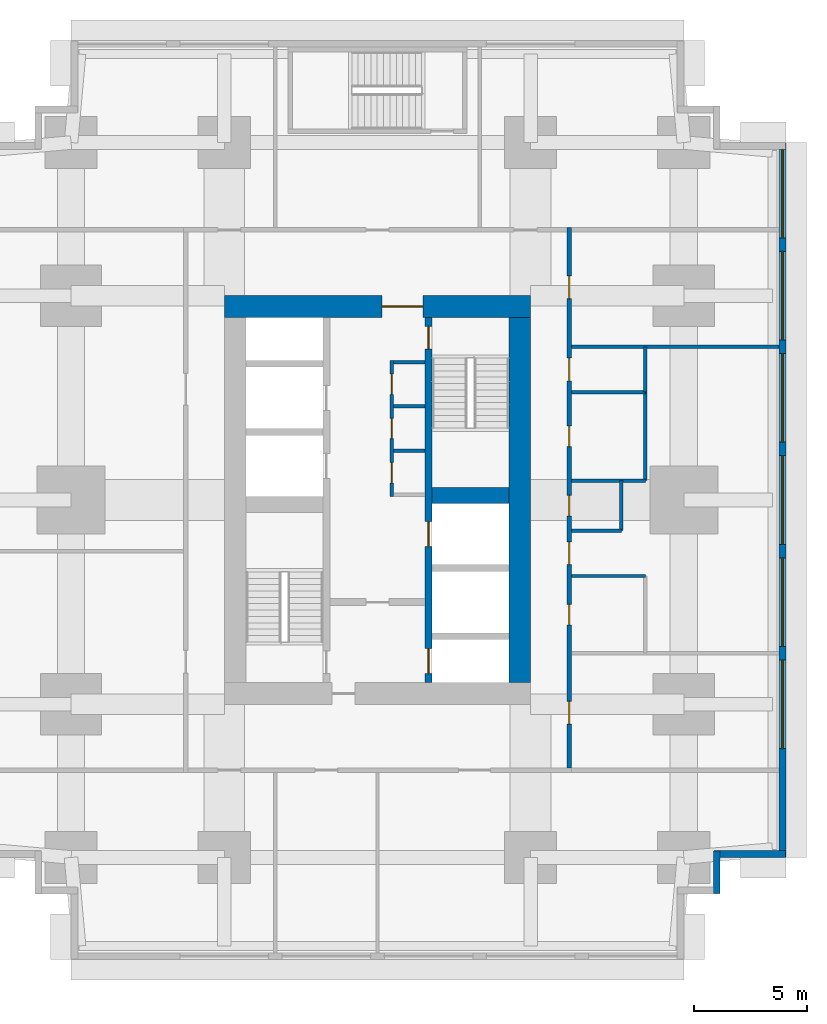
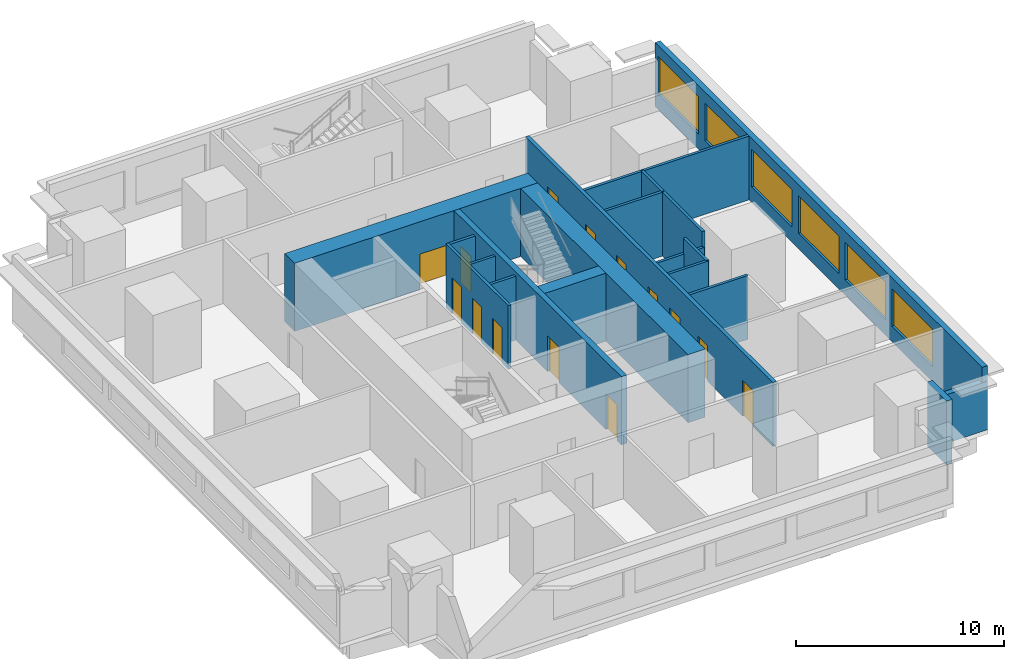
# One storey, part 7 of 12: 20 walls, 14 doors, 6 windows, 20 openings.
"""IFC4 building model written with IfcOpenShell, lengths in metres."""

from ifc_helpers import new_model, si_unit, direction, frame, frame_2d, origin, place, context, subcontext, project, spatial, rectangle, extrude, material, layer, layer_set, type_object, element, fill, save


model = new_model("IFC4")

# Units and contexts
model_context = context("Model", 3, precision=1e-05, world=origin(), true_north=direction((0.0, 1.0)))
body_context = subcontext(model_context, "Body", "Model", "MODEL_VIEW")
ifc_project = project(units=[si_unit("LENGTHUNIT", "METRE"), si_unit("AREAUNIT", "SQUARE_METRE"), si_unit("VOLUMEUNIT", "CUBIC_METRE"), si_unit("PLANEANGLEUNIT", "RADIAN"), si_unit("MASSUNIT", "GRAM", prefix="KILO")], contexts=[model_context])

# Site, building, storey
site_placement = place(None, origin())
site = spatial("IfcSite", under=ifc_project, at=site_placement, CompositionType="ELEMENT")
building_placement = place(site_placement, origin())
building = spatial("IfcBuilding", under=site, at=building_placement, Name="Namib Vertical Campus", CompositionType="ELEMENT")
storey_placement = place(building_placement, frame((0.0, 0.0, 45.0)))
storey = spatial("IfcBuildingStorey", under=building, at=storey_placement, Name="L10", CompositionType="ELEMENT", Elevation=45.0)

# Wall, openings, doors
ifc_material_1 = material(Name="Concrete C60/75", Category="concrete")
ifc_layer_1 = layer(ifc_material_1, 0.300048828125)
ifc_layer_set_1 = layer_set([ifc_layer_1], Name="Concrete C60/75")
wall_type_1 = type_object("IfcWallType", Name="Core inner wall 300", PredefinedType="SHEAR", material=ifc_layer_set_1)
wall_1_placement = place(storey_placement, frame((83.25, 12.199951171875, 0.0), z_axis=(0.0, 0.0, 1.0), x_axis=(0.0, 1.0, 0.0)))
wall_1 = element("IfcWall", 1, at=wall_1_placement, inside=storey, type_object=wall_type_1, Name="Core inner wall B L10 W2", PredefinedType="SHEAR", context=body_context, shape_type="SweptSolid", body=[
    extrude(rectangle(XDim=16.10009765625, YDim=0.300048828125, at=frame_2d((8.050048828125, 0.0))), origin(), (0.0, 0.0, 1.0), 4.0),
])
opening_1_placement = place(wall_1_placement, frame((14.699951171875, 0.0, 0.0)))
opening_1 = element("IfcOpeningElement", 2, at=opening_1_placement, cuts=wall_1, Name="Opening FD1", PredefinedType="OPENING", context=body_context, shape_type="SweptSolid", body=[
    extrude(rectangle(XDim=1.0, YDim=2.10009765625, at=frame_2d((0.5, 1.050048828125))), frame((0.0, 0.159912109375, 0.0), z_axis=(0.0, -1.0, 0.0), x_axis=(1.0, 0.0, 0.0)), (0.0, 0.0, 1.0), 0.320068359375),
])
opening_2_placement = place(wall_1_placement, frame((0.39990234375, 0.0, 0.0)))
opening_2 = element("IfcOpeningElement", 3, at=opening_2_placement, cuts=wall_1, Name="Opening LD1", PredefinedType="OPENING", context=body_context, shape_type="SweptSolid", body=[
    extrude(rectangle(XDim=1.10009765625, YDim=2.10009765625, at=frame_2d((0.550048828125, 1.050048828125))), frame((0.0, 0.159912109375, 0.0), z_axis=(0.0, -1.0, 0.0), x_axis=(1.0, 0.0, 0.0)), (0.0, 0.0, 1.0), 0.320068359375),
])
opening_3_placement = place(wall_1_placement, frame((6.0, 0.0, 0.0)))
opening_3 = element("IfcOpeningElement", 4, at=opening_3_placement, cuts=wall_1, Name="Opening LD1", PredefinedType="OPENING", context=body_context, shape_type="SweptSolid", body=[
    extrude(rectangle(XDim=1.10009765625, YDim=2.10009765625, at=frame_2d((0.550048828125, 1.050048828125))), frame((0.0, 0.159912109375, 0.0), z_axis=(0.0, -1.0, 0.0), x_axis=(1.0, 0.0, 0.0)), (0.0, 0.0, 1.0), 0.320068359375),
])
ifc_material_2 = material(Name="Steel fire door", Category="steel")
door_type_1 = type_object("IfcDoorType", Name="Fire door 1000x2100", OperationType="SINGLE_SWING_RIGHT", PredefinedType="DOOR", material=ifc_material_2)
door_1_placement = place(opening_1_placement, frame((1.0, 0.0, 0.0), z_axis=(0.0, 0.0, 1.0), x_axis=(-1.0, 0.0, 0.0)))
door_1 = element("IfcDoor", 5, at=door_1_placement, inside=storey, type_object=door_type_1, Name="Stair door FD1 B L10 S2", OperationType="SINGLE_SWING_LEFT", OverallHeight=2.10009765625, OverallWidth=1.0, PredefinedType="DOOR", context=body_context, shape_type="SweptSolid", body=[
    extrude(rectangle(XDim=1.0, YDim=2.10009765625, at=frame_2d((0.5, 1.050048828125))), frame((0.0, 0.02490234375, 0.0), z_axis=(0.0, -1.0, 0.0), x_axis=(1.0, 0.0, 0.0)), (0.0, 0.0, 1.0), 0.050048828125),
])
fill(opening_1, door_1)
ifc_material_3 = material(Name="Stainless steel lift door", Category="steel")
door_type_2 = type_object("IfcDoorType", Name="Lift landing door 1100x2100", OperationType="DOUBLE_DOOR_SLIDING", PredefinedType="DOOR", material=ifc_material_3)
door_2_placement = place(opening_2_placement, origin())
door_2 = element("IfcDoor", 6, at=door_2_placement, inside=storey, type_object=door_type_2, Name="Lift landing door LD1 B-FL1 L10", OperationType="DOUBLE_DOOR_SLIDING", OverallHeight=2.10009765625, OverallWidth=1.10009765625, PredefinedType="DOOR", context=body_context, shape_type="SweptSolid", body=[
    extrude(rectangle(XDim=1.10009765625, YDim=2.10009765625, at=frame_2d((0.550048828125, 1.050048828125))), frame((0.0, 0.02490234375, 0.0), z_axis=(0.0, -1.0, 0.0), x_axis=(1.0, 0.0, 0.0)), (0.0, 0.0, 1.0), 0.050048828125),
])
fill(opening_2, door_2)
door_3_placement = place(opening_3_placement, origin())
door_3 = element("IfcDoor", 7, at=door_3_placement, inside=storey, type_object=door_type_2, Name="Lift landing door LD1 B-P5 L10", OperationType="DOUBLE_DOOR_SLIDING", OverallHeight=2.10009765625, OverallWidth=1.10009765625, PredefinedType="DOOR", context=body_context, shape_type="SweptSolid", body=[
    extrude(rectangle(XDim=1.10009765625, YDim=2.10009765625, at=frame_2d((0.550048828125, 1.050048828125))), frame((0.0, 0.02490234375, 0.0), z_axis=(0.0, -1.0, 0.0), x_axis=(1.0, 0.0, 0.0)), (0.0, 0.0, 1.0), 0.050048828125),
])
fill(opening_3, door_3)

# Walls
ifc_material_4 = material(Name="Concrete C60/75", Category="concrete")
ifc_layer_2 = layer(ifc_material_4, 0.699951171875)
ifc_layer_set_2 = layer_set([ifc_layer_2], Name="Concrete C60/75")
wall_type_2 = type_object("IfcWallType", Name="Core shear wall 700", PredefinedType="SHEAR", material=ifc_layer_set_2)
wall_2_placement = place(storey_placement, frame((83.39990234375, 20.449951171875, 0.0), z_axis=(0.0, 0.0, 1.0), x_axis=(1.0, 0.0, 0.0)))
element("IfcWall", 8, at=wall_2_placement, inside=storey, type_object=wall_type_2, Name="Core shear wall B L10 W7", PredefinedType="SHEAR", context=body_context, shape_type="SweptSolid", body=[
    extrude(rectangle(XDim=3.400146484375, YDim=0.699951171875, at=frame_2d((1.7001953125, 0.0))), origin(), (0.0, 0.0, 1.0), 4.0),
])
ifc_material_5 = material(Name="Concrete C60/75", Category="concrete")
ifc_layer_3 = layer(ifc_material_5, 0.949951171875)
ifc_layer_set_3 = layer_set([ifc_layer_3], Name="Concrete C60/75")
wall_type_3 = type_object("IfcWallType", Name="Core wall 950", PredefinedType="SHEAR", material=ifc_layer_set_3)
wall_3_placement = place(storey_placement, frame((87.27490234375, 12.199951171875, 0.0), z_axis=(0.0, 0.0, 1.0), x_axis=(0.0, 1.0, 0.0)))
element("IfcWall", 9, at=wall_3_placement, inside=storey, type_object=wall_type_3, Name="Core wall B L10 2", PredefinedType="SHEAR", context=body_context, shape_type="SweptSolid", body=[
    extrude(rectangle(XDim=16.10009765625, YDim=0.949951171875, at=frame_2d((8.050048828125, 0.0))), origin(), (0.0, 0.0, 1.0), 4.0),
])

# Wall, opening, door
wall_4_placement = place(storey_placement, frame((87.75, 28.77490234375, 0.0), z_axis=(0.0, 0.0, 1.0), x_axis=(-1.0, 0.0, 0.0)))
wall_4 = element("IfcWall", 10, at=wall_4_placement, inside=storey, type_object=wall_type_3, Name="Core wall B L10 3", PredefinedType="SHEAR", context=body_context, shape_type="SweptSolid", body=[
    extrude(rectangle(XDim=13.5, YDim=0.949951171875, at=frame_2d((6.75, 0.0))), origin(), (0.0, 0.0, 1.0), 4.0),
])
opening_4_placement = place(wall_4_placement, frame((4.75, 0.0, 0.0)))
opening_4 = element("IfcOpeningElement", 11, at=opening_4_placement, cuts=wall_4, Name="Opening FD2", PredefinedType="OPENING", context=body_context, shape_type="SweptSolid", body=[
    extrude(rectangle(XDim=1.800048828125, YDim=2.10009765625, at=frame_2d((0.89990234375, 1.050048828125))), frame((0.0, 0.48486328125, 0.0), z_axis=(0.0, -1.0, 0.0), x_axis=(1.0, 0.0, 0.0)), (0.0, 0.0, 1.0), 0.969970703125),
])
ifc_material_6 = material(Name="Steel fire door", Category="steel")
door_type_3 = type_object("IfcDoorType", Name="Fire door double 1800x2100", OperationType="DOUBLE_DOOR_SINGLE_SWING", PredefinedType="DOOR", material=ifc_material_6)
door_4_placement = place(opening_4_placement, origin())
door_4 = element("IfcDoor", 12, at=door_4_placement, inside=storey, type_object=door_type_3, Name="Lift lobby door FD2 B L10", OperationType="DOUBLE_DOOR_SINGLE_SWING", OverallHeight=2.10009765625, OverallWidth=1.800048828125, PredefinedType="DOOR", context=body_context, shape_type="SweptSolid", body=[
    extrude(rectangle(XDim=1.800048828125, YDim=2.10009765625, at=frame_2d((0.89990234375, 1.050048828125))), frame((0.0, 0.02490234375, 0.0), z_axis=(0.0, -1.0, 0.0), x_axis=(1.0, 0.0, 0.0)), (0.0, 0.0, 1.0), 0.050048828125),
])
fill(opening_4, door_4)

# Wall, openings, doors
ifc_material_7 = material(Name="Concrete masonry", Category="masonry")
ifc_layer_4 = layer(ifc_material_7, 0.199951171875)
ifc_layer_set_4 = layer_set([ifc_layer_4], Name="Corridor wall 200")
wall_type_4 = type_object("IfcWallType", Name="Corridor wall 200", PredefinedType="SOLIDWALL", material=ifc_layer_set_4)
wall_5_placement = place(storey_placement, frame((89.449951171875, 8.449951171875, 0.0), z_axis=(0.0, 0.0, 1.0), x_axis=(0.0, 1.0, 0.0)))
wall_5 = element("IfcWall", 13, at=wall_5_placement, inside=storey, type_object=wall_type_4, Name="Corridor wall B L10 CE", PredefinedType="SOLIDWALL", context=body_context, shape_type="SweptSolid", body=[
    extrude(rectangle(XDim=23.800048828125, YDim=0.199951171875, at=frame_2d((11.89990234375, 0.0))), origin(), (0.0, 0.0, 1.0), 3.75),
])
opening_5_placement = place(wall_5_placement, frame((1.925048828125, 0.0, 0.0)))
opening_5 = element("IfcOpeningElement", 14, at=opening_5_placement, cuts=wall_5, Name="Opening CD1", PredefinedType="OPENING", context=body_context, shape_type="SweptSolid", body=[
    extrude(rectangle(XDim=1.0, YDim=2.10009765625, at=frame_2d((0.5, 1.050048828125))), frame((0.0, 0.10986328125, 0.0), z_axis=(0.0, -1.0, 0.0), x_axis=(1.0, 0.0, 0.0)), (0.0, 0.0, 1.0), 0.219970703125),
])
opening_6_placement = place(wall_5_placement, frame((6.300048828125, 0.0, 0.0)))
opening_6 = element("IfcOpeningElement", 15, at=opening_6_placement, cuts=wall_5, Name="Opening CD3", PredefinedType="OPENING", context=body_context, shape_type="SweptSolid", body=[
    extrude(rectangle(XDim=0.89990234375, YDim=2.10009765625, at=frame_2d((0.449951171875, 1.050048828125))), frame((0.0, 0.10986328125, 0.0), z_axis=(0.0, -1.0, 0.0), x_axis=(1.0, 0.0, 0.0)), (0.0, 0.0, 1.0), 0.219970703125),
])
opening_7_placement = place(wall_5_placement, frame((11.10009765625, 0.0, 0.0)))
opening_7 = element("IfcOpeningElement", 16, at=opening_7_placement, cuts=wall_5, Name="Opening CD3", PredefinedType="OPENING", context=body_context, shape_type="SweptSolid", body=[
    extrude(rectangle(XDim=0.89990234375, YDim=2.10009765625, at=frame_2d((0.449951171875, 1.050048828125))), frame((0.0, 0.10986328125, 0.0), z_axis=(0.0, -1.0, 0.0), x_axis=(1.0, 0.0, 0.0)), (0.0, 0.0, 1.0), 0.219970703125),
])
opening_8_placement = place(wall_5_placement, frame((14.14990234375, 0.0, 0.0)))
opening_8 = element("IfcOpeningElement", 17, at=opening_8_placement, cuts=wall_5, Name="Opening CD3", PredefinedType="OPENING", context=body_context, shape_type="SweptSolid", body=[
    extrude(rectangle(XDim=0.89990234375, YDim=2.10009765625, at=frame_2d((0.449951171875, 1.050048828125))), frame((0.0, 0.10986328125, 0.0), z_axis=(0.0, -1.0, 0.0), x_axis=(1.0, 0.0, 0.0)), (0.0, 0.0, 1.0), 0.219970703125),
])
opening_9_placement = place(wall_5_placement, frame((17.050048828125, 0.0, 0.0)))
opening_9 = element("IfcOpeningElement", 18, at=opening_9_placement, cuts=wall_5, Name="Opening CD1", PredefinedType="OPENING", context=body_context, shape_type="SweptSolid", body=[
    extrude(rectangle(XDim=1.0, YDim=2.10009765625, at=frame_2d((0.5, 1.050048828125))), frame((0.0, 0.10986328125, 0.0), z_axis=(0.0, -1.0, 0.0), x_axis=(1.0, 0.0, 0.0)), (0.0, 0.0, 1.0), 0.219970703125),
])
opening_10_placement = place(wall_5_placement, frame((8.949951171875, 0.0, 0.0)))
opening_10 = element("IfcOpeningElement", 19, at=opening_10_placement, cuts=wall_5, Name="Opening CD1", PredefinedType="OPENING", context=body_context, shape_type="SweptSolid", body=[
    extrude(rectangle(XDim=1.0, YDim=2.10009765625, at=frame_2d((0.5, 1.050048828125))), frame((0.0, 0.10986328125, 0.0), z_axis=(0.0, -1.0, 0.0), x_axis=(1.0, 0.0, 0.0)), (0.0, 0.0, 1.0), 0.219970703125),
])
opening_11_placement = place(wall_5_placement, frame((20.675048828125, 0.0, 0.0)))
opening_11 = element("IfcOpeningElement", 20, at=opening_11_placement, cuts=wall_5, Name="Opening CD1", PredefinedType="OPENING", context=body_context, shape_type="SweptSolid", body=[
    extrude(rectangle(XDim=1.0, YDim=2.10009765625, at=frame_2d((0.5, 1.050048828125))), frame((0.0, 0.10986328125, 0.0), z_axis=(0.0, -1.0, 0.0), x_axis=(1.0, 0.0, 0.0)), (0.0, 0.0, 1.0), 0.219970703125),
])
ifc_material_8 = material(Name="Timber fire door leaf", Category="wood")
door_type_4 = type_object("IfcDoorType", Name="Corridor door 1000x2100 20 min", OperationType="SINGLE_SWING_LEFT", PredefinedType="DOOR", material=ifc_material_8)
door_5_placement = place(opening_5_placement, frame((1.0, 0.0, 0.0), z_axis=(0.0, 0.0, 1.0), x_axis=(-1.0, 0.0, 0.0)))
door_5 = element("IfcDoor", 21, at=door_5_placement, inside=storey, type_object=door_type_4, Name="Door CD1 B10-04", OperationType="SINGLE_SWING_RIGHT", OverallHeight=2.10009765625, OverallWidth=1.0, PredefinedType="DOOR", context=body_context, shape_type="SweptSolid", body=[
    extrude(rectangle(XDim=1.0, YDim=2.10009765625, at=frame_2d((0.5, 1.050048828125))), frame((0.0, 0.02490234375, 0.0), z_axis=(0.0, -1.0, 0.0), x_axis=(1.0, 0.0, 0.0)), (0.0, 0.0, 1.0), 0.050048828125),
])
fill(opening_5, door_5)
door_6_placement = place(opening_9_placement, frame((1.0, 0.0, 0.0), z_axis=(0.0, 0.0, 1.0), x_axis=(-1.0, 0.0, 0.0)))
door_6 = element("IfcDoor", 22, at=door_6_placement, inside=storey, type_object=door_type_4, Name="Door CD1 B10-08", OperationType="SINGLE_SWING_RIGHT", OverallHeight=2.10009765625, OverallWidth=1.0, PredefinedType="DOOR", context=body_context, shape_type="SweptSolid", body=[
    extrude(rectangle(XDim=1.0, YDim=2.10009765625, at=frame_2d((0.5, 1.050048828125))), frame((0.0, 0.02490234375, 0.0), z_axis=(0.0, -1.0, 0.0), x_axis=(1.0, 0.0, 0.0)), (0.0, 0.0, 1.0), 0.050048828125),
])
fill(opening_9, door_6)
door_7_placement = place(opening_10_placement, frame((1.0, 0.0, 0.0), z_axis=(0.0, 0.0, 1.0), x_axis=(-1.0, 0.0, 0.0)))
door_7 = element("IfcDoor", 23, at=door_7_placement, inside=storey, type_object=door_type_4, Name="Door CD1 B10-09", OperationType="SINGLE_SWING_RIGHT", OverallHeight=2.10009765625, OverallWidth=1.0, PredefinedType="DOOR", context=body_context, shape_type="SweptSolid", body=[
    extrude(rectangle(XDim=1.0, YDim=2.10009765625, at=frame_2d((0.5, 1.050048828125))), frame((0.0, 0.02490234375, 0.0), z_axis=(0.0, -1.0, 0.0), x_axis=(1.0, 0.0, 0.0)), (0.0, 0.0, 1.0), 0.050048828125),
])
fill(opening_10, door_7)
door_8_placement = place(opening_11_placement, frame((1.0, 0.0, 0.0), z_axis=(0.0, 0.0, 1.0), x_axis=(-1.0, 0.0, 0.0)))
door_8 = element("IfcDoor", 24, at=door_8_placement, inside=storey, type_object=door_type_4, Name="Door CD1 B10-10", OperationType="SINGLE_SWING_RIGHT", OverallHeight=2.10009765625, OverallWidth=1.0, PredefinedType="DOOR", context=body_context, shape_type="SweptSolid", body=[
    extrude(rectangle(XDim=1.0, YDim=2.10009765625, at=frame_2d((0.5, 1.050048828125))), frame((0.0, 0.02490234375, 0.0), z_axis=(0.0, -1.0, 0.0), x_axis=(1.0, 0.0, 0.0)), (0.0, 0.0, 1.0), 0.050048828125),
])
fill(opening_11, door_8)
ifc_material_9 = material(Name="Timber fire door leaf", Category="wood")
door_type_5 = type_object("IfcDoorType", Name="Corridor toilet door 900x2100 20 min", OperationType="SINGLE_SWING_LEFT", PredefinedType="DOOR", material=ifc_material_9)
door_9_placement = place(opening_6_placement, frame((0.89990234375, 0.0, 0.0), z_axis=(0.0, 0.0, 1.0), x_axis=(-1.0, 0.0, 0.0)))
door_9 = element("IfcDoor", 25, at=door_9_placement, inside=storey, type_object=door_type_5, Name="Door CD3 B10-05", OperationType="SINGLE_SWING_RIGHT", OverallHeight=2.10009765625, OverallWidth=0.89990234375, PredefinedType="DOOR", context=body_context, shape_type="SweptSolid", body=[
    extrude(rectangle(XDim=0.89990234375, YDim=2.10009765625, at=frame_2d((0.449951171875, 1.050048828125))), frame((0.0, 0.02490234375, 0.0), z_axis=(0.0, -1.0, 0.0), x_axis=(1.0, 0.0, 0.0)), (0.0, 0.0, 1.0), 0.050048828125),
])
fill(opening_6, door_9)
door_10_placement = place(opening_7_placement, frame((0.89990234375, 0.0, 0.0), z_axis=(0.0, 0.0, 1.0), x_axis=(-1.0, 0.0, 0.0)))
door_10 = element("IfcDoor", 26, at=door_10_placement, inside=storey, type_object=door_type_5, Name="Door CD3 B10-06", OperationType="SINGLE_SWING_RIGHT", OverallHeight=2.10009765625, OverallWidth=0.89990234375, PredefinedType="DOOR", context=body_context, shape_type="SweptSolid", body=[
    extrude(rectangle(XDim=0.89990234375, YDim=2.10009765625, at=frame_2d((0.449951171875, 1.050048828125))), frame((0.0, 0.02490234375, 0.0), z_axis=(0.0, -1.0, 0.0), x_axis=(1.0, 0.0, 0.0)), (0.0, 0.0, 1.0), 0.050048828125),
])
fill(opening_7, door_10)
door_11_placement = place(opening_8_placement, frame((0.89990234375, 0.0, 0.0), z_axis=(0.0, 0.0, 1.0), x_axis=(-1.0, 0.0, 0.0)))
door_11 = element("IfcDoor", 27, at=door_11_placement, inside=storey, type_object=door_type_5, Name="Door CD3 B10-07", OperationType="SINGLE_SWING_RIGHT", OverallHeight=2.10009765625, OverallWidth=0.89990234375, PredefinedType="DOOR", context=body_context, shape_type="SweptSolid", body=[
    extrude(rectangle(XDim=0.89990234375, YDim=2.10009765625, at=frame_2d((0.449951171875, 1.050048828125))), frame((0.0, 0.02490234375, 0.0), z_axis=(0.0, -1.0, 0.0), x_axis=(1.0, 0.0, 0.0)), (0.0, 0.0, 1.0), 0.050048828125),
])
fill(opening_8, door_11)

# Walls
ifc_material_10 = material(Name="Concrete C40/50", Category="concrete")
ifc_layer_5 = layer(ifc_material_10, 0.300048828125)
ifc_layer_set_5 = layer_set([ifc_layer_5], Name="Concrete C40/50")
wall_type_5 = type_object("IfcWallType", Name="External wall 300 board-marked concrete", PredefinedType="STANDARD", material=ifc_layer_set_5)
wall_6_placement = place(storey_placement, frame((95.949951171875, 2.919921875, 0.0), z_axis=(0.0, 0.0, 1.0), x_axis=(0.0, 1.0, 0.0)))
element("IfcWall", 28, at=wall_6_placement, inside=storey, type_object=wall_type_5, Name="External wall L10 F04", PredefinedType="STANDARD", context=body_context, shape_type="SweptSolid", body=[
    extrude(rectangle(XDim=1.860107421875, YDim=0.300048828125, at=frame_2d((0.93017578125, 0.0))), origin(), (0.0, 0.0, 1.0), 3.75),
])
wall_7_placement = place(storey_placement, frame((95.820068359375, 4.64990234375, 0.0), z_axis=(0.0, 0.0, 1.0), x_axis=(1.0, 0.0, 0.0)))
element("IfcWall", 29, at=wall_7_placement, inside=storey, type_object=wall_type_5, Name="External wall L10 F05", PredefinedType="STANDARD", context=body_context, shape_type="SweptSolid", body=[
    extrude(rectangle(XDim=3.159912109375, YDim=0.300048828125, at=frame_2d((1.580078125, 0.0))), origin(), (0.0, 0.0, 1.0), 2.85009765625),
])

# Wall, openings, windows
wall_8_placement = place(storey_placement, frame((98.85009765625, 4.52001953125, 0.0), z_axis=(0.0, 0.0, 1.0), x_axis=(0.0, 1.0, 0.0)))
wall_8 = element("IfcWall", 30, at=wall_8_placement, inside=storey, type_object=wall_type_5, Name="External wall L10 F06", PredefinedType="STANDARD", context=body_context, shape_type="SweptSolid", body=[
    extrude(rectangle(XDim=31.4599609375, YDim=0.300048828125, at=frame_2d((15.72998046875, 0.0))), origin(), (0.0, 0.0, 1.0), 3.75),
])
opening_12_placement = place(wall_8_placement, frame((4.780029296875, 0.0, 0.89990234375)))
opening_12 = element("IfcOpeningElement", 31, at=opening_12_placement, cuts=wall_8, Name="Opening W1", PredefinedType="OPENING", context=body_context, shape_type="SweptSolid", body=[
    extrude(rectangle(XDim=3.89990234375, YDim=2.199951171875, at=frame_2d((1.949951171875, 1.10009765625))), frame((0.0, 0.159912109375, 0.0), z_axis=(0.0, -1.0, 0.0), x_axis=(1.0, 0.0, 0.0)), (0.0, 0.0, 1.0), 0.320068359375),
])
opening_13_placement = place(wall_8_placement, frame((9.280029296875, 0.0, 0.89990234375)))
opening_13 = element("IfcOpeningElement", 32, at=opening_13_placement, cuts=wall_8, Name="Opening W1", PredefinedType="OPENING", context=body_context, shape_type="SweptSolid", body=[
    extrude(rectangle(XDim=3.89990234375, YDim=2.199951171875, at=frame_2d((1.949951171875, 1.10009765625))), frame((0.0, 0.159912109375, 0.0), z_axis=(0.0, -1.0, 0.0), x_axis=(1.0, 0.0, 0.0)), (0.0, 0.0, 1.0), 0.320068359375),
])
opening_14_placement = place(wall_8_placement, frame((13.780029296875, 0.0, 0.89990234375)))
opening_14 = element("IfcOpeningElement", 33, at=opening_14_placement, cuts=wall_8, Name="Opening W1", PredefinedType="OPENING", context=body_context, shape_type="SweptSolid", body=[
    extrude(rectangle(XDim=3.89990234375, YDim=2.199951171875, at=frame_2d((1.949951171875, 1.10009765625))), frame((0.0, 0.159912109375, 0.0), z_axis=(0.0, -1.0, 0.0), x_axis=(1.0, 0.0, 0.0)), (0.0, 0.0, 1.0), 0.320068359375),
])
opening_15_placement = place(wall_8_placement, frame((18.280029296875, 0.0, 0.89990234375)))
opening_15 = element("IfcOpeningElement", 34, at=opening_15_placement, cuts=wall_8, Name="Opening W1", PredefinedType="OPENING", context=body_context, shape_type="SweptSolid", body=[
    extrude(rectangle(XDim=3.89990234375, YDim=2.199951171875, at=frame_2d((1.949951171875, 1.10009765625))), frame((0.0, 0.159912109375, 0.0), z_axis=(0.0, -1.0, 0.0), x_axis=(1.0, 0.0, 0.0)), (0.0, 0.0, 1.0), 0.320068359375),
])
opening_16_placement = place(wall_8_placement, frame((22.780029296875, 0.0, 0.89990234375)))
opening_16 = element("IfcOpeningElement", 35, at=opening_16_placement, cuts=wall_8, Name="Opening W1", PredefinedType="OPENING", context=body_context, shape_type="SweptSolid", body=[
    extrude(rectangle(XDim=3.89990234375, YDim=2.199951171875, at=frame_2d((1.949951171875, 1.10009765625))), frame((0.0, 0.159912109375, 0.0), z_axis=(0.0, -1.0, 0.0), x_axis=(1.0, 0.0, 0.0)), (0.0, 0.0, 1.0), 0.320068359375),
])
opening_17_placement = place(wall_8_placement, frame((27.280029296875, 0.0, 0.89990234375)))
opening_17 = element("IfcOpeningElement", 36, at=opening_17_placement, cuts=wall_8, Name="Opening W1", PredefinedType="OPENING", context=body_context, shape_type="SweptSolid", body=[
    extrude(rectangle(XDim=3.89990234375, YDim=2.199951171875, at=frame_2d((1.949951171875, 1.10009765625))), frame((0.0, 0.159912109375, 0.0), z_axis=(0.0, -1.0, 0.0), x_axis=(1.0, 0.0, 0.0)), (0.0, 0.0, 1.0), 0.320068359375),
])
ifc_material_11 = material(Name="Dark tinted glass in black aluminium frame", Category="aluminium")
window_type = type_object("IfcWindowType", Name="Ribbon window 3900x2200", PartitioningType="SINGLE_PANEL", PredefinedType="WINDOW", material=ifc_material_11)
window_1_placement = place(opening_12_placement, origin())
window_1 = element("IfcWindow", 37, at=window_1_placement, inside=storey, type_object=window_type, Name="Window W1 L10 F06-2", OverallHeight=2.199951171875, OverallWidth=3.89990234375, PartitioningType="SINGLE_PANEL", PredefinedType="WINDOW", context=body_context, shape_type="SweptSolid", body=[
    extrude(rectangle(XDim=3.89990234375, YDim=2.199951171875, at=frame_2d((1.949951171875, 1.10009765625))), frame((0.0, 0.030029296875, 0.0), z_axis=(0.0, -1.0, 0.0), x_axis=(1.0, 0.0, 0.0)), (0.0, 0.0, 1.0), 0.06005859375),
])
fill(opening_12, window_1)
window_2_placement = place(opening_13_placement, origin())
window_2 = element("IfcWindow", 38, at=window_2_placement, inside=storey, type_object=window_type, Name="Window W1 L10 F06-3", OverallHeight=2.199951171875, OverallWidth=3.89990234375, PartitioningType="SINGLE_PANEL", PredefinedType="WINDOW", context=body_context, shape_type="SweptSolid", body=[
    extrude(rectangle(XDim=3.89990234375, YDim=2.199951171875, at=frame_2d((1.949951171875, 1.10009765625))), frame((0.0, 0.030029296875, 0.0), z_axis=(0.0, -1.0, 0.0), x_axis=(1.0, 0.0, 0.0)), (0.0, 0.0, 1.0), 0.06005859375),
])
fill(opening_13, window_2)
window_3_placement = place(opening_14_placement, origin())
window_3 = element("IfcWindow", 39, at=window_3_placement, inside=storey, type_object=window_type, Name="Window W1 L10 F06-4", OverallHeight=2.199951171875, OverallWidth=3.89990234375, PartitioningType="SINGLE_PANEL", PredefinedType="WINDOW", context=body_context, shape_type="SweptSolid", body=[
    extrude(rectangle(XDim=3.89990234375, YDim=2.199951171875, at=frame_2d((1.949951171875, 1.10009765625))), frame((0.0, 0.030029296875, 0.0), z_axis=(0.0, -1.0, 0.0), x_axis=(1.0, 0.0, 0.0)), (0.0, 0.0, 1.0), 0.06005859375),
])
fill(opening_14, window_3)
window_4_placement = place(opening_15_placement, origin())
window_4 = element("IfcWindow", 40, at=window_4_placement, inside=storey, type_object=window_type, Name="Window W1 L10 F06-5", OverallHeight=2.199951171875, OverallWidth=3.89990234375, PartitioningType="SINGLE_PANEL", PredefinedType="WINDOW", context=body_context, shape_type="SweptSolid", body=[
    extrude(rectangle(XDim=3.89990234375, YDim=2.199951171875, at=frame_2d((1.949951171875, 1.10009765625))), frame((0.0, 0.030029296875, 0.0), z_axis=(0.0, -1.0, 0.0), x_axis=(1.0, 0.0, 0.0)), (0.0, 0.0, 1.0), 0.06005859375),
])
fill(opening_15, window_4)
window_5_placement = place(opening_16_placement, origin())
window_5 = element("IfcWindow", 41, at=window_5_placement, inside=storey, type_object=window_type, Name="Window W1 L10 F06-6", OverallHeight=2.199951171875, OverallWidth=3.89990234375, PartitioningType="SINGLE_PANEL", PredefinedType="WINDOW", context=body_context, shape_type="SweptSolid", body=[
    extrude(rectangle(XDim=3.89990234375, YDim=2.199951171875, at=frame_2d((1.949951171875, 1.10009765625))), frame((0.0, 0.030029296875, 0.0), z_axis=(0.0, -1.0, 0.0), x_axis=(1.0, 0.0, 0.0)), (0.0, 0.0, 1.0), 0.06005859375),
])
fill(opening_16, window_5)
window_6_placement = place(opening_17_placement, origin())
window_6 = element("IfcWindow", 42, at=window_6_placement, inside=storey, type_object=window_type, Name="Window W1 L10 F06-7", OverallHeight=2.199951171875, OverallWidth=3.89990234375, PartitioningType="SINGLE_PANEL", PredefinedType="WINDOW", context=body_context, shape_type="SweptSolid", body=[
    extrude(rectangle(XDim=3.89990234375, YDim=2.199951171875, at=frame_2d((1.949951171875, 1.10009765625))), frame((0.0, 0.030029296875, 0.0), z_axis=(0.0, -1.0, 0.0), x_axis=(1.0, 0.0, 0.0)), (0.0, 0.0, 1.0), 0.06005859375),
])
fill(opening_17, window_6)

# Wall, openings, doors
ifc_material_12 = material(Name="Gypsum board on steel studs", Category="steel")
ifc_layer_6 = layer(ifc_material_12, 0.14990234375)
ifc_layer_set_6 = layer_set([ifc_layer_6], Name="Gypsum board on steel studs")
wall_type_6 = type_object("IfcWallType", Name="Partition 150", PredefinedType="PARTITIONING", material=ifc_layer_set_6)
wall_9_placement = place(storey_placement, frame((81.625, 20.39990234375, 0.0), z_axis=(0.0, 0.0, 1.0), x_axis=(0.0, 1.0, 0.0)))
wall_9 = element("IfcWall", 43, at=wall_9_placement, inside=storey, type_object=wall_type_6, Name="Partition B L10 Records store and Cleaners' store and Linen store front", PredefinedType="PARTITIONING", context=body_context, shape_type="SweptSolid", body=[
    extrude(rectangle(XDim=6.0, YDim=0.14990234375, at=frame_2d((3.0, 0.0))), origin(), (0.0, 0.0, 1.0), 3.75),
])
opening_18_placement = place(wall_9_placement, frame((0.60009765625, 0.0, 0.0)))
opening_18 = element("IfcOpeningElement", 44, at=opening_18_placement, cuts=wall_9, Name="Opening D3", PredefinedType="OPENING", context=body_context, shape_type="SweptSolid", body=[
    extrude(rectangle(XDim=0.89990234375, YDim=2.10009765625, at=frame_2d((0.449951171875, 1.050048828125))), frame((0.0, 0.0849609375, 0.0), z_axis=(0.0, -1.0, 0.0), x_axis=(1.0, 0.0, 0.0)), (0.0, 0.0, 1.0), 0.169921875),
])
opening_19_placement = place(wall_9_placement, frame((2.550048828125, 0.0, 0.0)))
opening_19 = element("IfcOpeningElement", 45, at=opening_19_placement, cuts=wall_9, Name="Opening D3", PredefinedType="OPENING", context=body_context, shape_type="SweptSolid", body=[
    extrude(rectangle(XDim=0.89990234375, YDim=2.10009765625, at=frame_2d((0.449951171875, 1.050048828125))), frame((0.0, 0.0849609375, 0.0), z_axis=(0.0, -1.0, 0.0), x_axis=(1.0, 0.0, 0.0)), (0.0, 0.0, 1.0), 0.169921875),
])
opening_20_placement = place(wall_9_placement, frame((4.5, 0.0, 0.0)))
opening_20 = element("IfcOpeningElement", 46, at=opening_20_placement, cuts=wall_9, Name="Opening D3", PredefinedType="OPENING", context=body_context, shape_type="SweptSolid", body=[
    extrude(rectangle(XDim=0.89990234375, YDim=2.10009765625, at=frame_2d((0.449951171875, 1.050048828125))), frame((0.0, 0.0849609375, 0.0), z_axis=(0.0, -1.0, 0.0), x_axis=(1.0, 0.0, 0.0)), (0.0, 0.0, 1.0), 0.169921875),
])
ifc_material_13 = material(Name="Timber door leaf", Category="wood")
door_type_6 = type_object("IfcDoorType", Name="Toilet door 900x2100", OperationType="SINGLE_SWING_LEFT", PredefinedType="DOOR", material=ifc_material_13)
door_12_placement = place(opening_18_placement, frame((0.89990234375, 0.0, 0.0), z_axis=(0.0, 0.0, 1.0), x_axis=(-1.0, 0.0, 0.0)))
door_12 = element("IfcDoor", 47, at=door_12_placement, inside=storey, type_object=door_type_6, Name="Door D3 Records store B L10", OperationType="SINGLE_SWING_RIGHT", OverallHeight=2.10009765625, OverallWidth=0.89990234375, PredefinedType="DOOR", context=body_context, shape_type="SweptSolid", body=[
    extrude(rectangle(XDim=0.89990234375, YDim=2.10009765625, at=frame_2d((0.449951171875, 1.050048828125))), frame((0.0, 0.02490234375, 0.0), z_axis=(0.0, -1.0, 0.0), x_axis=(1.0, 0.0, 0.0)), (0.0, 0.0, 1.0), 0.050048828125),
])
fill(opening_18, door_12)
door_13_placement = place(opening_19_placement, frame((0.89990234375, 0.0, 0.0), z_axis=(0.0, 0.0, 1.0), x_axis=(-1.0, 0.0, 0.0)))
door_13 = element("IfcDoor", 48, at=door_13_placement, inside=storey, type_object=door_type_6, Name="Door D3 Cleaners' store B L10", OperationType="SINGLE_SWING_RIGHT", OverallHeight=2.10009765625, OverallWidth=0.89990234375, PredefinedType="DOOR", context=body_context, shape_type="SweptSolid", body=[
    extrude(rectangle(XDim=0.89990234375, YDim=2.10009765625, at=frame_2d((0.449951171875, 1.050048828125))), frame((0.0, 0.02490234375, 0.0), z_axis=(0.0, -1.0, 0.0), x_axis=(1.0, 0.0, 0.0)), (0.0, 0.0, 1.0), 0.050048828125),
])
fill(opening_19, door_13)
door_14_placement = place(opening_20_placement, frame((0.89990234375, 0.0, 0.0), z_axis=(0.0, 0.0, 1.0), x_axis=(-1.0, 0.0, 0.0)))
door_14 = element("IfcDoor", 49, at=door_14_placement, inside=storey, type_object=door_type_6, Name="Door D3 Linen store B L10", OperationType="SINGLE_SWING_RIGHT", OverallHeight=2.10009765625, OverallWidth=0.89990234375, PredefinedType="DOOR", context=body_context, shape_type="SweptSolid", body=[
    extrude(rectangle(XDim=0.89990234375, YDim=2.10009765625, at=frame_2d((0.449951171875, 1.050048828125))), frame((0.0, 0.02490234375, 0.0), z_axis=(0.0, -1.0, 0.0), x_axis=(1.0, 0.0, 0.0)), (0.0, 0.0, 1.0), 0.050048828125),
])
fill(opening_20, door_14)

# Walls
for number, where, z_axis, x_axis, name in (
    (50, (81.699951171875, 22.425048828125, 0.0), (0.0, 0.0, 1.0), (1.0, 0.0, 0.0), "Partition B L10 Records store and Cleaners' store and Linen store division 2"),
    (51, (81.699951171875, 24.375, 0.0), (0.0, 0.0, 1.0), (1.0, 0.0, 0.0), "Partition B L10 Records store and Cleaners' store and Linen store division 3"),
    (52, (81.699951171875, 26.324951171875, 0.0), (0.0, 0.0, 1.0), (1.0, 0.0, 0.0), "Partition B L10 Records store and Cleaners' store and Linen store end 4"),
):
    element("IfcWall", number, at=place(storey_placement, frame(where, z_axis=z_axis, x_axis=x_axis)), inside=storey, type_object=wall_type_6, Name=name, PredefinedType="PARTITIONING", context=body_context, shape_type="SweptSolid", body=[
        extrude(rectangle(XDim=1.400146484375, YDim=0.14990234375, at=frame_2d((0.7001953125, 0.0))), origin(), (0.0, 0.0, 1.0), 3.75),
    ])
wall_10_placement = place(storey_placement, frame((89.550048828125, 27.0, 0.0), z_axis=(0.0, 0.0, 1.0), x_axis=(1.0, 0.0, 0.0)))
element("IfcWall", 53, at=wall_10_placement, inside=storey, type_object=wall_type_6, Name="Partition B L10 PE2", PredefinedType="PARTITIONING", context=body_context, shape_type="SweptSolid", body=[
    extrude(rectangle(XDim=9.14990234375, YDim=0.14990234375, at=frame_2d((4.574951171875, 0.0))), origin(), (0.0, 0.0, 1.0), 3.75),
])
wall_11_placement = place(storey_placement, frame((89.550048828125, 16.89990234375, 0.0), z_axis=(0.0, 0.0, 1.0), x_axis=(1.0, 0.0, 0.0)))
element("IfcWall", 54, at=wall_11_placement, inside=storey, type_object=wall_type_6, Name="Partition B L10 WR1", PredefinedType="PARTITIONING", context=body_context, shape_type="SweptSolid", body=[
    extrude(rectangle(XDim=3.25, YDim=0.14990234375, at=frame_2d((1.625, 0.0))), origin(), (0.0, 0.0, 1.0), 3.75),
])
wall_12_placement = place(storey_placement, frame((89.550048828125, 18.89990234375, 0.0), z_axis=(0.0, 0.0, 1.0), x_axis=(1.0, 0.0, 0.0)))
element("IfcWall", 55, at=wall_12_placement, inside=storey, type_object=wall_type_6, Name="Partition B L10 WR2", PredefinedType="PARTITIONING", context=body_context, shape_type="SweptSolid", body=[
    extrude(rectangle(XDim=2.199951171875, YDim=0.14990234375, at=frame_2d((1.10009765625, 0.0))), origin(), (0.0, 0.0, 1.0), 3.75),
])
wall_13_placement = place(storey_placement, frame((89.550048828125, 21.10009765625, 0.0), z_axis=(0.0, 0.0, 1.0), x_axis=(1.0, 0.0, 0.0)))
element("IfcWall", 56, at=wall_13_placement, inside=storey, type_object=wall_type_6, Name="Partition B L10 WR3", PredefinedType="PARTITIONING", context=body_context, shape_type="SweptSolid", body=[
    extrude(rectangle(XDim=3.25, YDim=0.14990234375, at=frame_2d((1.625, 0.0))), origin(), (0.0, 0.0, 1.0), 2.85009765625),
])
wall_14_placement = place(storey_placement, frame((89.550048828125, 25.0, 0.0), z_axis=(0.0, 0.0, 1.0), x_axis=(1.0, 0.0, 0.0)))
element("IfcWall", 57, at=wall_14_placement, inside=storey, type_object=wall_type_6, Name="Partition B L10 WR4", PredefinedType="PARTITIONING", context=body_context, shape_type="SweptSolid", body=[
    extrude(rectangle(XDim=3.25, YDim=0.14990234375, at=frame_2d((1.625, 0.0))), origin(), (0.0, 0.0, 1.0), 3.75),
])
wall_15_placement = place(storey_placement, frame((91.75, 18.89990234375, 0.0), z_axis=(0.0, 0.0, 1.0), x_axis=(0.0, 1.0, 0.0)))
element("IfcWall", 58, at=wall_15_placement, inside=storey, type_object=wall_type_6, Name="Partition B L10 WB2", PredefinedType="PARTITIONING", context=body_context, shape_type="SweptSolid", body=[
    extrude(rectangle(XDim=2.2001953125, YDim=0.14990234375, at=frame_2d((1.10009765625, 0.0))), origin(), (0.0, 0.0, 1.0), 3.75),
])
wall_16_placement = place(storey_placement, frame((92.800048828125, 21.10009765625, 0.0), z_axis=(0.0, 0.0, 1.0), x_axis=(0.0, 1.0, 0.0)))
element("IfcWall", 59, at=wall_16_placement, inside=storey, type_object=wall_type_6, Name="Partition B L10 WB3", PredefinedType="PARTITIONING", context=body_context, shape_type="SweptSolid", body=[
    extrude(rectangle(XDim=3.89990234375, YDim=0.14990234375, at=frame_2d((1.949951171875, 0.0))), origin(), (0.0, 0.0, 1.0), 3.75),
])
wall_17_placement = place(storey_placement, frame((92.800048828125, 25.0, 0.0), z_axis=(0.0, 0.0, 1.0), x_axis=(0.0, 1.0, 0.0)))
element("IfcWall", 60, at=wall_17_placement, inside=storey, type_object=wall_type_6, Name="Partition B L10 WB4", PredefinedType="PARTITIONING", context=body_context, shape_type="SweptSolid", body=[
    extrude(rectangle(XDim=2.0, YDim=0.14990234375, at=frame_2d((1.0, 0.0))), origin(), (0.0, 0.0, 1.0), 3.75),
])

save(model, "model.ifc")
